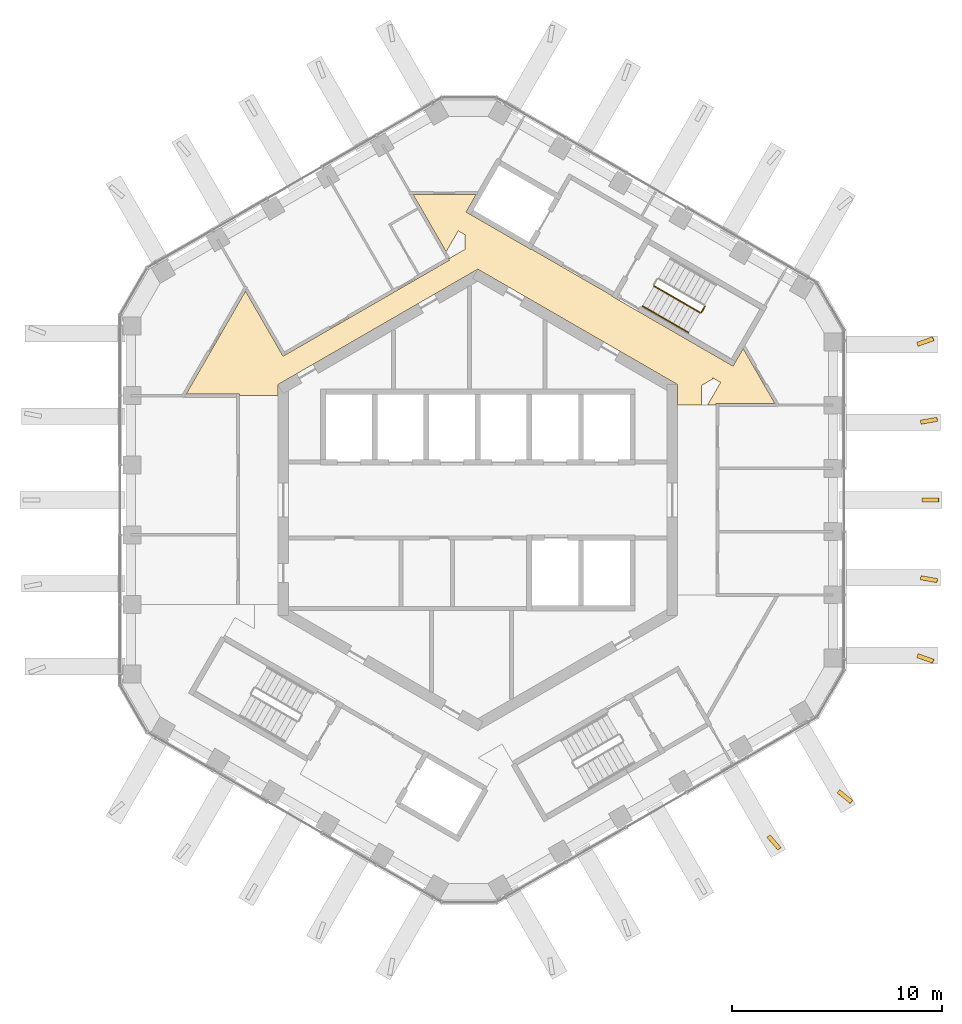
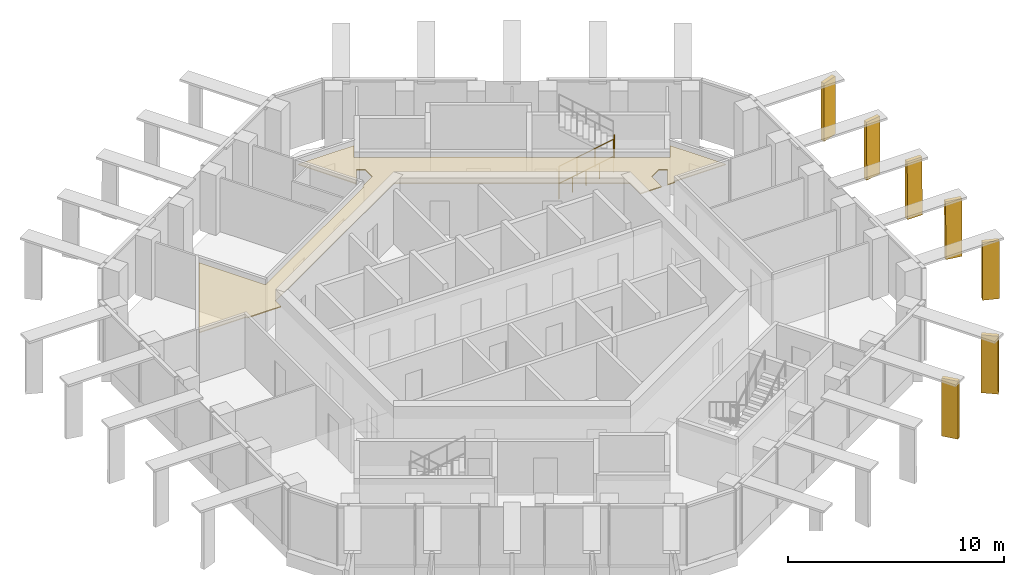
# One storey, part 17 of 18: 7 shading devices, 4 railings, 1 covering.
"""IFC4 building model written with IfcOpenShell, lengths in metres."""

from ifc_helpers import new_model, si_unit, direction, frame, origin, origin_2d, place, context, subcontext, project, spatial, polyline, circle, outline, extrude, material, layer, layer_set, type_object, element, save


model = new_model("IFC4")

# Units and contexts
model_context = context("Model", 3, precision=1e-05, world=origin(), true_north=direction((0.0, 1.0)))
body_context = subcontext(model_context, "Body", "Model", "MODEL_VIEW")
ifc_project = project(units=[si_unit("LENGTHUNIT", "METRE"), si_unit("AREAUNIT", "SQUARE_METRE"), si_unit("VOLUMEUNIT", "CUBIC_METRE"), si_unit("PLANEANGLEUNIT", "RADIAN"), si_unit("MASSUNIT", "GRAM", prefix="KILO")], contexts=[model_context])

# Site, building, storey
site_placement = place(None, origin())
site = spatial("IfcSite", under=ifc_project, at=site_placement, CompositionType="ELEMENT")
building_placement = place(site_placement, origin())
building = spatial("IfcBuilding", under=site, at=building_placement, Name="Ayvan Gate Tower", CompositionType="ELEMENT")
storey_placement = place(building_placement, frame((0.0, 0.0, 242.699951171875)))
storey = spatial("IfcBuildingStorey", under=building, at=storey_placement, Name="L65", CompositionType="ELEMENT", Elevation=242.699951171875)

# Covering
ifc_material_1 = material(Name="Plasterboard suspended ceiling")
ifc_layer_1 = layer(ifc_material_1, 0.050048828125)
ifc_layer_set_1 = layer_set([ifc_layer_1], Name="Plasterboard suspended ceiling")
covering_type = type_object("IfcCoveringType", Name="CT-SUSP-50", PredefinedType="CEILING", material=ifc_layer_set_1)
covering_placement = place(storey_placement, frame((0.0, 0.0, 2.699951171875)))
element("IfcCovering", 1, at=covering_placement, inside=storey, type_object=covering_type, Name="Ceiling Gallery L65", PredefinedType="CEILING", context=body_context, shape_type="SweptSolid", body=[
    extrude(outline(polyline([(-1.35546875, 11.393798828125), (-1.392822265625, 11.458740234375), (-0.60009765625, 11.91650390625), (-0.60009765625, 12.56298828125), (-0.53955078125, 12.56298828125), (-0.930419921875, 12.78857421875), (-1.502197265625, 11.798095703125), (-3.074462890625, 14.52099609375), (-0.074462890625, 14.52099609375), (-0.55615234375, 13.686767578125), (-0.339599609375, 13.561767578125), (2.518310546875, 11.91162109375), (2.53076171875, 11.933349609375), (6.384521484375, 9.70849609375), (6.3720703125, 9.686767578125), (6.588623046875, 9.561767578125), (12.131103515625, 6.36181640625), (12.24609375, 6.56103515625), (12.61279296875, 7.196044921875), (14.11279296875, 4.597900390625), (11.324951171875, 4.597900390625), (11.324951171875, 4.52294921875), (10.92529296875, 4.52294921875), (11.540283203125, 5.58837890625), (11.149658203125, 5.814208984375), (11.1796875, 5.76171875), (10.6201171875, 5.438720703125), (10.6201171875, 4.52294921875), (9.5, 4.52294921875), (9.5, 5.48486328125), (4.66748046875, 8.27490234375), (0.0, 10.9697265625), (-4.667724609375, 8.27490234375), (-9.5, 5.48486328125), (-9.5, 4.95458984375), (-11.324951171875, 4.95458984375), (-11.324951171875, 5.02978515625), (-13.863525390625, 5.02978515625), (-11.038330078125, 9.923095703125), (-9.25439453125, 6.833251953125), (-9.12451171875, 6.908203125), (-1.35546875, 11.393798828125)])), origin(), (0.0, 0.0, 1.0), 0.050048828125),
])

# Shading devices
ifc_material_2 = material(Name="Bronze anodised aluminium", Category="aluminium")
ifc_layer_2 = layer(ifc_material_2, 0.199951171875)
ifc_layer_set_2 = layer_set([ifc_layer_2], Name="Bronze anodised aluminium")
shading_device_type = type_object("IfcShadingDeviceType", Name="Crown frame rib 800 x 200", PredefinedType="USERDEFINED", material=ifc_layer_set_2)
shading_device_1_placement = place(storey_placement, frame((13.744140625, -16.043701171875, 0.0), z_axis=(-0.756308000006, -0.654215576277, 0.000434607677), x_axis=(0.654215638078, -0.756308071419, 5.0156e-08)))
element("IfcShadingDevice", 2, at=shading_device_1_placement, inside=storey, type_object=shading_device_type, Name="CROWN FRAME rib FR03.6.4", ObjectType="FIN", PredefinedType="USERDEFINED", context=body_context, shape_type="SweptSolid", body=[
    extrude(outline(polyline([(0.0, 0.0), (0.7999926096231944, 0.0), (0.7921074489773363, 3.2800295669186044), (-0.007725440031093013, 3.280029647158956), (0.0, 0.0)])), origin(), (0.0, 0.0, -1.0), 0.199951171875),
])
shading_device_2_placement = place(storey_placement, frame((17.0791015625, -13.928955078125, 0.0), z_axis=(-0.62855717807, -0.777763226651, 0.000486996057), x_axis=(0.77776331888, -0.628557252606, 0.0)))
element("IfcShadingDevice", 3, at=shading_device_2_placement, inside=storey, type_object=shading_device_type, Name="CROWN FRAME rib FR03.6.5", ObjectType="FIN", PredefinedType="USERDEFINED", context=body_context, shape_type="SweptSolid", body=[
    extrude(outline(polyline([(0.0, 0.0), (0.8001334570789522, 0.0), (0.7916228120216713, 3.2800296858294042), (-0.008510645057280886, 3.2800296858294042), (0.0, 0.0)])), origin(), (0.0, 0.0, -1.0), 0.199951171875),
])
shading_device_3_placement = place(storey_placement, frame((20.864990234375, -7.49267578125, 0.0), z_axis=(-0.333753882974, -0.942660144093, 0.000445352081), x_axis=(0.942660237563, -0.333753916109, -8.6759e-08)))
element("IfcShadingDevice", 4, at=shading_device_3_placement, inside=storey, type_object=shading_device_type, Name="CROWN FRAME rib FR03.1.1", ObjectType="FIN", PredefinedType="USERDEFINED", context=body_context, shape_type="SweptSolid", body=[
    extrude(outline(polyline([(0.0, 0.0), (0.799819726029561, 1.3552527156068805e-20), (0.7912183579979587, 3.280029690798144), (-0.008750026801488469, 3.280029552002605), (0.0, 0.0)])), origin(), (0.0, 0.0, -1.0), 0.199951171875),
])
shading_device_4_placement = place(storey_placement, frame((21.037353515625, -3.794189453125, 0.0), z_axis=(-0.173027985235, -0.984916794262, 0.000474032006), x_axis=(0.984916904921, -0.17302800467, 1.2513e-08)))
element("IfcShadingDevice", 5, at=shading_device_4_placement, inside=storey, type_object=shading_device_type, Name="CROWN FRAME rib FR03.1.2", ObjectType="FIN", PredefinedType="USERDEFINED", context=body_context, shape_type="SweptSolid", body=[
    extrude(outline(polyline([(0.0, 0.0), (0.8001510370444622, 0.0), (0.7919494967854015, 3.2800296554870756), (-0.007961082030320149, 3.280029675508679), (0.0, 0.0)])), origin(), (0.0, 0.0, -1.0), 0.199951171875),
])
shading_device_5_placement = place(storey_placement, frame((21.1103515625, -0.099853515625, 0.0), z_axis=(0.0, -0.999999900277, 0.000446594671), x_axis=(1.0, 0.0, 0.0)))
element("IfcShadingDevice", 6, at=shading_device_5_placement, inside=storey, type_object=shading_device_type, Name="CROWN FRAME rib FR03.1.3", ObjectType="FIN", PredefinedType="USERDEFINED", context=body_context, shape_type="SweptSolid", body=[
    extrude(outline(polyline([(0.0, 0.0), (0.800048828125, 0.0), (0.792236328125, 3.280029623970722), (-0.0078125, 3.280029623970722), (0.0, 0.0)])), origin(), (0.0, 0.0, -1.0), 0.199951171875),
])
shading_device_6_placement = place(storey_placement, frame((21.072021484375, 3.597412109375, 0.0), z_axis=(0.173027988571, -0.984916813253, 0.000431443068), x_axis=(0.98491690492, 0.17302800468, 1.1392e-08)))
element("IfcShadingDevice", 7, at=shading_device_6_placement, inside=storey, type_object=shading_device_type, Name="CROWN FRAME rib FR03.1.4", ObjectType="FIN", PredefinedType="USERDEFINED", context=body_context, shape_type="SweptSolid", body=[
    extrude(outline(polyline([(0.0, 0.0), (0.7999105788157218, 6.776263578034403e-21), (0.7919754946341221, 3.2800295931301258), (-0.008175542410339909, 3.280029611358386), (0.0, 0.0)])), origin(), (0.0, 0.0, -1.0), 0.199951171875),
])
shading_device_7_placement = place(storey_placement, frame((20.931640625, 7.30419921875, 0.0), z_axis=(0.333889479016, -0.942612116947, 0.000461287965), x_axis=(0.942612217239, 0.333889514529, -2.35e-08)))
element("IfcShadingDevice", 8, at=shading_device_7_placement, inside=storey, type_object=shading_device_type, Name="CROWN FRAME rib FR03.1.5", ObjectType="FIN", PredefinedType="USERDEFINED", context=body_context, shape_type="SweptSolid", body=[
    extrude(outline(polyline([(0.0, 0.0), (0.8000498701037491, -1.3552527156068805e-20), (0.7912760193639395, 3.280029664443163), (-0.008543720803960155, 3.2800296268462237), (0.0, 0.0)])), origin(), (0.0, 0.0, -1.0), 0.199951171875),
])

# Railings
ifc_material_3 = material(Name="Stainless steel balustrade", Category="steel")
railing_type_1 = type_object("IfcRailingType", Name="RL-GUARD-1100", PredefinedType="GUARDRAIL", material=ifc_material_3)
railing_1_placement = place(storey_placement, frame((8.381103515625, 10.16650390625, 0.170166015625)))
element("IfcRailing", 9, at=railing_1_placement, inside=storey, type_object=railing_type_1, Name="L65 STS1 stair guard 1", PredefinedType="GUARDRAIL", context=body_context, shape_type="SweptSolid", body=[
    extrude(circle(Radius=0.02392578125, at=origin_2d()), frame((0.0, 0.0, 1.076171875), z_axis=(0.740292969978, -0.427413806696, 0.51892557891), x_axis=(0.500004791531, 0.866022637375, 0.0)), (0.0, 0.0, 1.0), 2.947998046875),
    extrude(circle(Radius=0.02099609375, at=origin_2d()), origin(), (0.0, 0.0, 1.0), 1.052001953125),
    extrude(circle(Radius=0.02099609375, at=origin_2d()), frame((0.7275390625, -0.419921875, 0.510009765625)), (0.0, 0.0, 1.0), 1.052001953125),
    extrude(circle(Radius=0.02099609375, at=origin_2d()), frame((1.454833984375, -0.840087890625, 1.019775390625)), (0.0, 0.0, 1.0), 1.052001953125),
    extrude(circle(Radius=0.02099609375, at=origin_2d()), frame((2.182373046875, -1.260009765625, 1.52978515625)), (0.0, 0.0, 1.0), 1.052001953125),
])
railing_2_placement = place(storey_placement, frame((10.6318359375, 8.9248046875, 1.699951171875)))
element("IfcRailing", 10, at=railing_2_placement, inside=storey, type_object=railing_type_1, Name="L65 STS1 stair guard 2", PredefinedType="GUARDRAIL", context=body_context, shape_type="SweptSolid", body=[
    extrude(circle(Radius=0.02392578125, at=origin_2d()), frame((0.0, 0.0, 1.076171875), z_axis=(0.499949632511, 0.866054481515, 0.0), x_axis=(-0.866054481515, 0.499949632511, 0.0)), (0.0, 0.0, 1.0), 0.31005859375),
    extrude(circle(Radius=0.02099609375, at=origin_2d()), origin(), (0.0, 0.0, 1.0), 1.052001953125),
    extrude(circle(Radius=0.02099609375, at=origin_2d()), frame((0.155029296875, 0.2685546875, 0.0)), (0.0, 0.0, 1.0), 1.052001953125),
])
railing_type_2 = type_object("IfcRailingType", Name="RL-HANDRAIL-900", PredefinedType="HANDRAIL", material=ifc_material_3)
railing_3_placement = place(storey_placement, frame((7.8310546875, 9.2138671875, 0.170166015625)))
element("IfcRailing", 11, at=railing_3_placement, inside=storey, type_object=railing_type_2, Name="L65 STS1 stair handrail 1", PredefinedType="HANDRAIL", context=body_context, shape_type="SweptSolid", body=[
    extrude(circle(Radius=0.02392578125, at=origin_2d()), frame((0.0, 0.0, 0.8759765625), z_axis=(0.740356597536, -0.427319915356, 0.518912129772), x_axis=(0.499890179513, 0.866088799389, 0.0)), (0.0, 0.0, 1.0), 1.47412109375),
    extrude(circle(Radius=0.02099609375, at=origin_2d()), origin(), (0.0, 0.0, 1.0), 0.851806640625),
    extrude(circle(Radius=0.02099609375, at=origin_2d()), frame((0.545654296875, -0.31494140625, 0.38232421875)), (0.0, 0.0, 1.0), 0.851806640625),
    extrude(circle(Radius=0.02099609375, at=origin_2d()), frame((1.09130859375, -0.6298828125, 0.764892578125)), (0.0, 0.0, 1.0), 0.851806640625),
])
railing_4_placement = place(storey_placement, frame((8.92236328125, 8.583984375, 0.93505859375)))
element("IfcRailing", 12, at=railing_4_placement, inside=storey, type_object=railing_type_2, Name="L65 STS1 stair handrail 2", PredefinedType="HANDRAIL", context=body_context, shape_type="SweptSolid", body=[
    extrude(circle(Radius=0.02392578125, at=origin_2d()), frame((0.0, 0.0, 0.8759765625), z_axis=(0.740229329464, -0.427507697325, 0.518939021976), x_axis=(0.50011940292, 0.865956455501, 0.0)), (0.0, 0.0, 1.0), 1.473876953125),
    extrude(circle(Radius=0.02099609375, at=origin_2d()), origin(), (0.0, 0.0, 1.0), 0.851806640625),
    extrude(circle(Radius=0.02099609375, at=origin_2d()), frame((0.54541015625, -0.31494140625, 0.38232421875)), (0.0, 0.0, 1.0), 0.851806640625),
    extrude(circle(Radius=0.02099609375, at=origin_2d()), frame((1.091064453125, -0.630126953125, 0.764892578125)), (0.0, 0.0, 1.0), 0.851806640625),
])

save(model, "model.ifc")
